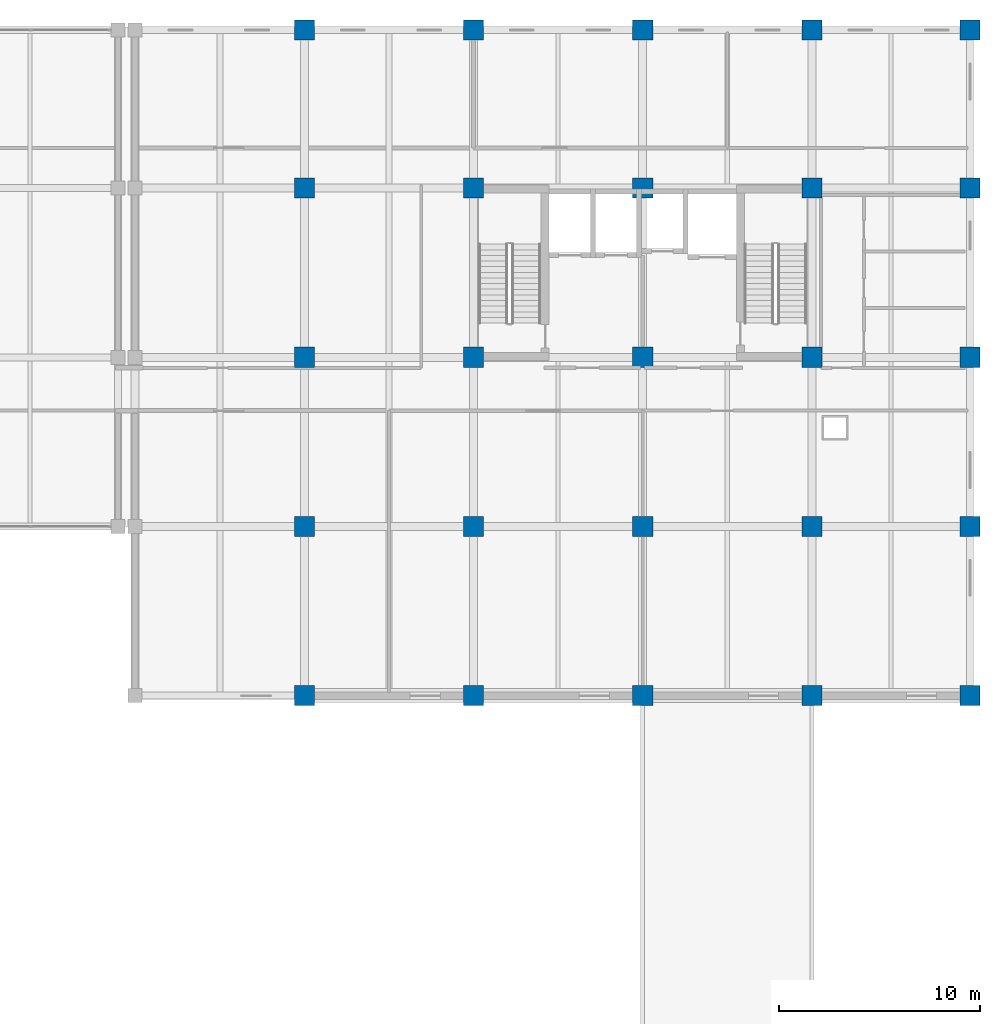
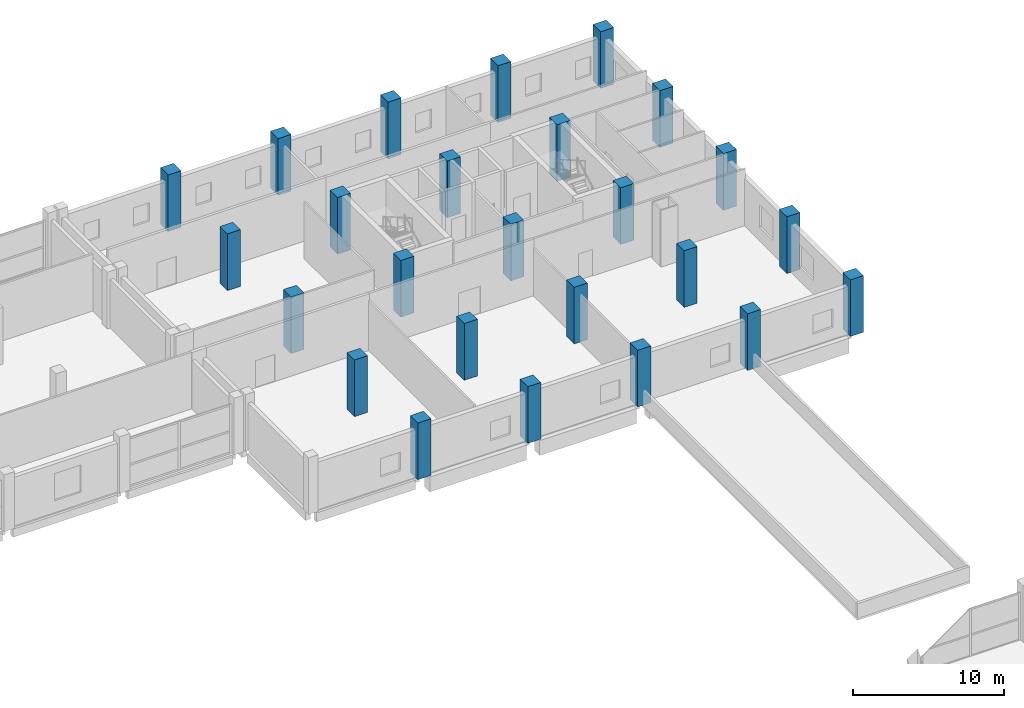
# One storey, part 3 of 31: 25 columns.
"""IFC4 building model written with IfcOpenShell, lengths in metres."""

from ifc_helpers import new_model, si_unit, direction, frame, origin, origin_2d, place, context, subcontext, project, spatial, rectangle, extrude, material, material_profile, profile_set, type_object, element, save


model = new_model("IFC4")

# Units and contexts
model_context = context("Model", 3, precision=1e-05, world=origin(), true_north=direction((0.0, 1.0)))
body_context = subcontext(model_context, "Body", "Model", "MODEL_VIEW")
ifc_project = project(units=[si_unit("LENGTHUNIT", "METRE"), si_unit("AREAUNIT", "SQUARE_METRE"), si_unit("VOLUMEUNIT", "CUBIC_METRE"), si_unit("PLANEANGLEUNIT", "RADIAN"), si_unit("MASSUNIT", "GRAM", prefix="KILO")], contexts=[model_context])

# Site, building, storey
site_placement = place(None, origin())
site = spatial("IfcSite", under=ifc_project, at=site_placement, CompositionType="ELEMENT")
building_placement = place(site_placement, origin())
building = spatial("IfcBuilding", under=site, at=building_placement, Name="Brinegate Botanical Conservatory", CompositionType="ELEMENT")
storey_placement = place(building_placement, frame((0.0, 0.0, 5.39990234375)))
storey = spatial("IfcBuildingStorey", under=building, at=storey_placement, Name="L02", CompositionType="ELEMENT", Elevation=5.39990234375)

# Columns
ifc_material = material(Name="Concrete C50/60", Category="concrete")
ifc_material_profile = material_profile(ifc_material, rectangle(XDim=1.0, YDim=1.0, at=origin_2d()), Name="RC COL 1000x1000")
ifc_profile_set = profile_set([ifc_material_profile], Name="Concrete C50/60")
column_type = type_object("IfcColumnType", Name="Col_C-T1", PredefinedType="COLUMN", material=ifc_profile_set)
for number, where, z_axis, x_axis, name in (
    (1, (130.39990234375, 78.39990234375, 0.0), (0.0, 0.0, 1.0), (1.0, 0.0, 0.0), "Column C-T1 L02 K-17"),
    (2, (130.39990234375, 86.800048828125, 0.0), (0.0, 0.0, 1.0), (1.0, 0.0, 0.0), "Column C-T1 L02 L-17"),
    (3, (130.39990234375, 95.199951171875, 0.0), (0.0, 0.0, 1.0), (1.0, 0.0, 0.0), "Column C-T1 L02 M-17"),
    (4, (130.39990234375, 103.60009765625, 0.0), (0.0, 0.0, 1.0), (1.0, 0.0, 0.0), "Column C-T1 L02 N-17"),
    (5, (130.39990234375, 111.449951171875, 0.0), (0.0, 0.0, 1.0), (1.0, 0.0, 0.0), "Column C-T1 L02 P-17"),
    (6, (138.800048828125, 78.39990234375, 0.0), (0.0, 0.0, 1.0), (1.0, 0.0, 0.0), "Column C-T1 L02 K-18"),
    (7, (138.800048828125, 86.800048828125, 0.0), (0.0, 0.0, 1.0), (1.0, 0.0, 0.0), "Column C-T1 L02 L-18"),
    (8, (138.800048828125, 95.199951171875, 0.0), (0.0, 0.0, 1.0), (1.0, 0.0, 0.0), "Column C-T1 L02 M-18"),
    (9, (138.800048828125, 103.60009765625, 0.0), (0.0, 0.0, 1.0), (1.0, 0.0, 0.0), "Column C-T1 L02 N-18"),
    (10, (138.800048828125, 111.449951171875, 0.0), (0.0, 0.0, 1.0), (1.0, 0.0, 0.0), "Column C-T1 L02 P-18"),
    (11, (147.199951171875, 78.39990234375, 0.0), (0.0, 0.0, 1.0), (1.0, 0.0, 0.0), "Column C-T1 L02 K-19"),
    (12, (147.199951171875, 86.800048828125, 0.0), (0.0, 0.0, 1.0), (1.0, 0.0, 0.0), "Column C-T1 L02 L-19"),
    (13, (147.199951171875, 95.199951171875, 0.0), (0.0, 0.0, 1.0), (1.0, 0.0, 0.0), "Column C-T1 L02 M-19"),
    (14, (147.199951171875, 103.60009765625, 0.0), (0.0, 0.0, 1.0), (1.0, 0.0, 0.0), "Column C-T1 L02 N-19"),
    (15, (147.199951171875, 111.449951171875, 0.0), (0.0, 0.0, 1.0), (1.0, 0.0, 0.0), "Column C-T1 L02 P-19"),
    (16, (155.60009765625, 78.39990234375, 0.0), (0.0, 0.0, 1.0), (1.0, 0.0, 0.0), "Column C-T1 L02 K-20"),
    (17, (155.60009765625, 86.800048828125, 0.0), (0.0, 0.0, 1.0), (1.0, 0.0, 0.0), "Column C-T1 L02 L-20"),
    (18, (155.60009765625, 95.199951171875, 0.0), (0.0, 0.0, 1.0), (1.0, 0.0, 0.0), "Column C-T1 L02 M-20"),
    (19, (155.60009765625, 103.60009765625, 0.0), (0.0, 0.0, 1.0), (1.0, 0.0, 0.0), "Column C-T1 L02 N-20"),
    (20, (155.60009765625, 111.449951171875, 0.0), (0.0, 0.0, 1.0), (1.0, 0.0, 0.0), "Column C-T1 L02 P-20"),
    (21, (163.449951171875, 78.39990234375, 0.0), (0.0, 0.0, 1.0), (1.0, 0.0, 0.0), "Column C-T1 L02 K-21"),
    (22, (163.449951171875, 86.800048828125, 0.0), (0.0, 0.0, 1.0), (1.0, 0.0, 0.0), "Column C-T1 L02 L-21"),
    (23, (163.449951171875, 95.199951171875, 0.0), (0.0, 0.0, 1.0), (1.0, 0.0, 0.0), "Column C-T1 L02 M-21"),
    (24, (163.449951171875, 103.60009765625, 0.0), (0.0, 0.0, 1.0), (1.0, 0.0, 0.0), "Column C-T1 L02 N-21"),
    (25, (163.449951171875, 111.449951171875, 0.0), (0.0, 0.0, 1.0), (1.0, 0.0, 0.0), "Column C-T1 L02 P-21"),
):
    element("IfcColumn", number, at=place(storey_placement, frame(where, z_axis=z_axis, x_axis=x_axis)), inside=storey, type_object=column_type, Name=name, PredefinedType="COLUMN", context=body_context, shape_type="SweptSolid", body=[
        extrude(rectangle(XDim=1.0, YDim=1.0, at=origin_2d()), origin(), (0.0, 0.0, 1.0), 4.580078125),
    ])

save(model, "model.ifc")
